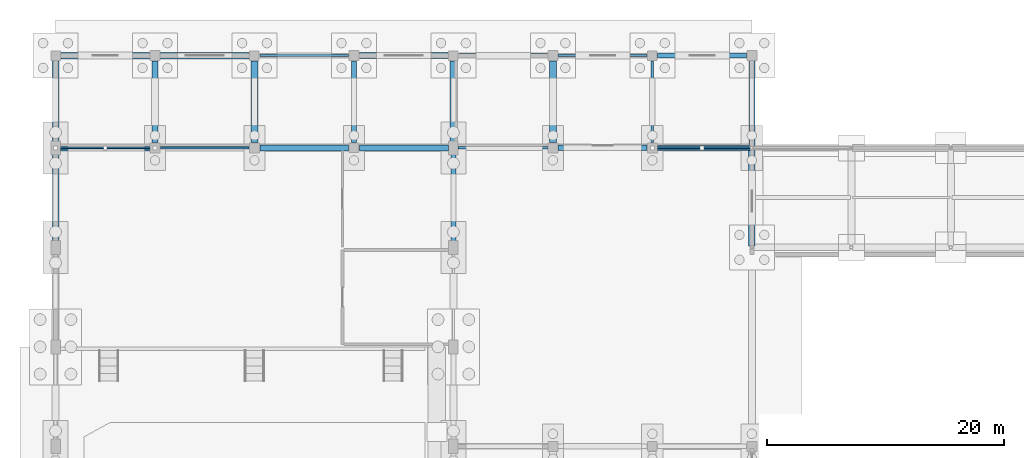
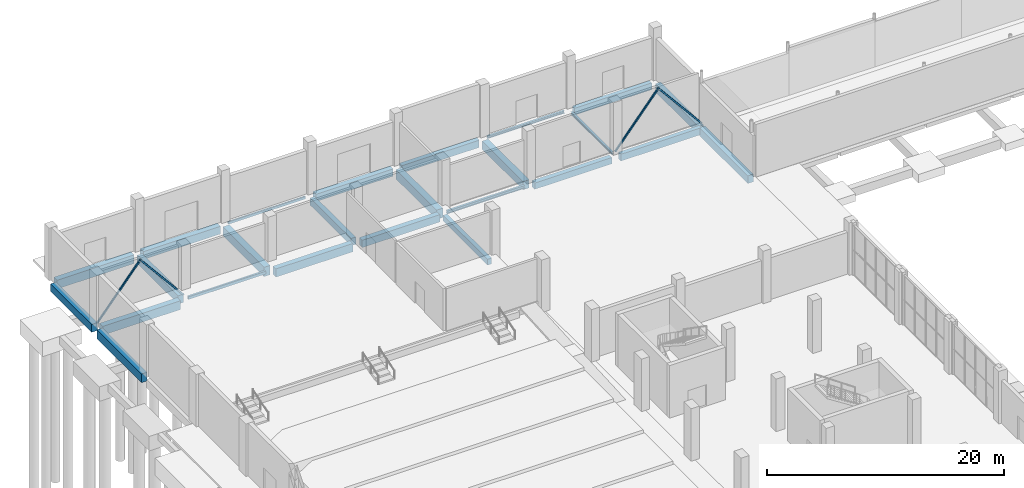
# One storey, part 42 of 82: 25 beams, 4 members.
"""IFC4 building model written with IfcOpenShell, lengths in metres."""

from ifc_helpers import new_model, si_unit, derived_unit, direction, frame, origin, origin_2d, place, context, subcontext, project, spatial, rectangle, hollow_rectangle, i_section, extrude, material, material_profile, profile_set, type_object, element, save


model = new_model("IFC4")

# Units and contexts
model_context = context("Model", 3, precision=1e-05, world=origin(), true_north=direction((0.0, 1.0)))
body_context = subcontext(model_context, "Body", "Model", "MODEL_VIEW")
ifc_project = project(units=[si_unit("LENGTHUNIT", "METRE"), si_unit("AREAUNIT", "SQUARE_METRE"), si_unit("VOLUMEUNIT", "CUBIC_METRE"), si_unit("PLANEANGLEUNIT", "RADIAN"), si_unit("MASSUNIT", "GRAM", prefix="KILO"), derived_unit("THERMALTRANSMITTANCEUNIT", [(si_unit("POWERUNIT", "WATT"), 1), (si_unit("LENGTHUNIT", "METRE"), -2), (si_unit("THERMODYNAMICTEMPERATUREUNIT", "KELVIN"), -1)])], contexts=[model_context])

# Site, building, storey
site_placement = place(None, origin())
site = spatial("IfcSite", under=ifc_project, at=site_placement, CompositionType="ELEMENT")
building_placement = place(site_placement, origin())
building = spatial("IfcBuilding", under=site, at=building_placement, Name="Barrovel Congress Hotel", CompositionType="ELEMENT")
storey_placement = place(building_placement, origin())
storey = spatial("IfcBuildingStorey", under=building, at=storey_placement, Name="L00", CompositionType="ELEMENT", Elevation=0.0)

# Beams
ifc_material_1 = material(Name="Concrete C40", Category="concrete")
ifc_material_profile_1 = material_profile(ifc_material_1, rectangle(XDim=0.39990234375, YDim=0.60009765625, at=origin_2d()), Name="RC400x600")
ifc_profile_set_1 = profile_set([ifc_material_profile_1], Name="Concrete C40")
beam_type_1 = type_object("IfcBeamType", Name="BM-RC400x600", PredefinedType="BEAM", material=ifc_profile_set_1)
beam_1_placement = place(storey_placement, frame((33.60009765625, 97.050048828125, -0.6201171875), z_axis=(0.0, 1.0, 0.0), x_axis=(-1.0, 0.0, 0.0)))
element("IfcBeam", 1, at=beam_1_placement, inside=storey, type_object=beam_type_1, Name="BMY:L00:33.6:96.6-105.0", PredefinedType="BEAM", context=body_context, shape_type="SweptSolid", body=[
    extrude(rectangle(XDim=0.39990234375, YDim=0.60009765625, at=origin_2d()), origin(), (0.0, 0.0, 1.0), 7.5),
])
ifc_material_profile_2 = material_profile(ifc_material_1, rectangle(XDim=0.39990234375, YDim=0.699951171875, at=origin_2d()), Name="RC400x700")
ifc_profile_set_2 = profile_set([ifc_material_profile_2], Name="Concrete C40")
beam_type_2 = type_object("IfcBeamType", Name="BM-RC400x700", PredefinedType="BEAM", material=ifc_profile_set_2)
beam_2_placement = place(storey_placement, frame((50.85009765625, 105.0, -0.669921875), z_axis=(1.0, 0.0, 0.0), x_axis=(0.0, 1.0, 0.0)))
element("IfcBeam", 2, at=beam_2_placement, inside=storey, type_object=beam_type_2, Name="BMX:L00:105.0:50.4-58.8", PredefinedType="BEAM", context=body_context, shape_type="SweptSolid", body=[
    extrude(rectangle(XDim=0.39990234375, YDim=0.699951171875, at=origin_2d()), origin(), (0.0, 0.0, 1.0), 7.84033203125),
])
beam_3_placement = place(storey_placement, frame((50.85009765625, 112.800048828125, -0.669921875), z_axis=(1.0, 0.0, 0.0), x_axis=(0.0, 1.0, 0.0)))
element("IfcBeam", 3, at=beam_3_placement, inside=storey, type_object=beam_type_2, Name="BMX:L00:112.8:50.4-58.8", PredefinedType="BEAM", context=body_context, shape_type="SweptSolid", body=[
    extrude(rectangle(XDim=0.39990234375, YDim=0.699951171875, at=origin_2d()), origin(), (0.0, 0.0, 1.0), 7.5),
])
ifc_material_profile_3 = material_profile(ifc_material_1, rectangle(XDim=0.449951171875, YDim=0.64990234375, at=origin_2d()), Name="RC450x650")
ifc_profile_set_3 = profile_set([ifc_material_profile_3], Name="Concrete C40")
beam_type_3 = type_object("IfcBeamType", Name="BM-RC450x650", PredefinedType="BEAM", material=ifc_profile_set_3)
beam_4_placement = place(storey_placement, frame((42.449951171875, 105.0, -0.64501953125), z_axis=(1.0, 0.0, 0.0), x_axis=(0.0, 1.0, 0.0)))
element("IfcBeam", 4, at=beam_4_placement, inside=storey, type_object=beam_type_3, Name="BMX:L00:105.0:42.0-50.4", PredefinedType="BEAM", context=body_context, shape_type="SweptSolid", body=[
    extrude(rectangle(XDim=0.449951171875, YDim=0.64990234375, at=origin_2d()), origin(), (0.0, 0.0, 1.0), 7.5),
])
ifc_material_profile_4 = material_profile(ifc_material_1, rectangle(XDim=0.449951171875, YDim=0.75, at=origin_2d()), Name="RC450x750")
ifc_profile_set_4 = profile_set([ifc_material_profile_4], Name="Concrete C40")
beam_type_4 = type_object("IfcBeamType", Name="BM-RC450x750", PredefinedType="BEAM", material=ifc_profile_set_4)
beam_5_placement = place(storey_placement, frame((34.050048828125, 112.800048828125, -0.695068359375), z_axis=(1.0, 0.0, 0.0), x_axis=(0.0, 1.0, 0.0)))
element("IfcBeam", 5, at=beam_5_placement, inside=storey, type_object=beam_type_4, Name="BMX:L00:112.8:33.6-42.0", PredefinedType="BEAM", context=body_context, shape_type="SweptSolid", body=[
    extrude(rectangle(XDim=0.449951171875, YDim=0.75, at=origin_2d()), origin(), (0.0, 0.0, 1.0), 7.5),
])
beam_6_placement = place(storey_placement, frame((25.199951171875, 105.449951171875, -0.695068359375), z_axis=(0.0, 1.0, 0.0), x_axis=(-1.0, 0.0, 0.0)))
element("IfcBeam", 6, at=beam_6_placement, inside=storey, type_object=beam_type_4, Name="BMY:L00:25.2:105.0-112.8", PredefinedType="BEAM", context=body_context, shape_type="SweptSolid", body=[
    extrude(rectangle(XDim=0.449951171875, YDim=0.75, at=origin_2d()), origin(), (0.0, 0.0, 1.0), 6.900146484375),
])
ifc_material_profile_5 = material_profile(ifc_material_1, rectangle(XDim=0.5, YDim=0.75, at=origin_2d()), Name="RC500x750")
ifc_profile_set_5 = profile_set([ifc_material_profile_5], Name="Concrete C40")
beam_type_5 = type_object("IfcBeamType", Name="BM-RC500x750", PredefinedType="BEAM", material=ifc_profile_set_5)
beam_7_placement = place(storey_placement, frame((25.64990234375, 105.0, -0.695068359375), z_axis=(1.0, 0.0, 0.0), x_axis=(0.0, 1.0, 0.0)))
element("IfcBeam", 7, at=beam_7_placement, inside=storey, type_object=beam_type_5, Name="BMX:L00:105.0:25.2-33.6", PredefinedType="BEAM", context=body_context, shape_type="SweptSolid", body=[
    extrude(rectangle(XDim=0.5, YDim=0.75, at=origin_2d()), origin(), (0.0, 0.0, 1.0), 7.550048828125),
])
beam_8_placement = place(storey_placement, frame((25.64990234375, 112.800048828125, -0.695068359375), z_axis=(1.0, 0.0, 0.0), x_axis=(0.0, 1.0, 0.0)))
element("IfcBeam", 8, at=beam_8_placement, inside=storey, type_object=beam_type_5, Name="BMX:L00:112.8:25.2-33.6", PredefinedType="BEAM", context=body_context, shape_type="SweptSolid", body=[
    extrude(rectangle(XDim=0.5, YDim=0.75, at=origin_2d()), origin(), (0.0, 0.0, 1.0), 7.5),
])
ifc_material_profile_6 = material_profile(ifc_material_1, rectangle(XDim=0.5, YDim=0.85009765625, at=origin_2d()), Name="RC500x850")
ifc_profile_set_6 = profile_set([ifc_material_profile_6], Name="Concrete C40")
beam_type_6 = type_object("IfcBeamType", Name="BM-RC500x850", PredefinedType="BEAM", material=ifc_profile_set_6)
beam_9_placement = place(storey_placement, frame((17.25, 105.0, -0.7451171875), z_axis=(1.0, 0.0, 0.0), x_axis=(0.0, 1.0, 0.0)))
element("IfcBeam", 9, at=beam_9_placement, inside=storey, type_object=beam_type_6, Name="BMX:L00:105.0:16.8-25.2", PredefinedType="BEAM", context=body_context, shape_type="SweptSolid", body=[
    extrude(rectangle(XDim=0.5, YDim=0.85009765625, at=origin_2d()), origin(), (0.0, 0.0, 1.0), 7.5),
])
beam_10_placement = place(storey_placement, frame((8.39990234375, 105.449951171875, -0.7451171875), z_axis=(0.0, 1.0, 0.0), x_axis=(-1.0, 0.0, 0.0)))
element("IfcBeam", 10, at=beam_10_placement, inside=storey, type_object=beam_type_6, Name="BMY:L00:8.4:105.0-112.8", PredefinedType="BEAM", context=body_context, shape_type="SweptSolid", body=[
    extrude(rectangle(XDim=0.5, YDim=0.85009765625, at=origin_2d()), origin(), (0.0, 0.0, 1.0), 6.900146484375),
])
beam_11_placement = place(storey_placement, frame((58.800048828125, 105.109619140625, -0.7451171875), z_axis=(0.0, 1.0, 0.0), x_axis=(-1.0, 0.0, 0.0)))
element("IfcBeam", 11, at=beam_11_placement, inside=storey, type_object=beam_type_6, Name="BMY:L00:58.8:105.0-112.8", PredefinedType="BEAM", context=body_context, shape_type="SweptSolid", body=[
    extrude(rectangle(XDim=0.5, YDim=0.85009765625, at=origin_2d()), origin(), (0.0, 0.0, 1.0), 7.240478515625),
])
ifc_material_profile_7 = material_profile(ifc_material_1, rectangle(XDim=0.550048828125, YDim=0.800048828125, at=origin_2d()), Name="RC550x800")
ifc_profile_set_7 = profile_set([ifc_material_profile_7], Name="Concrete C40")
beam_type_7 = type_object("IfcBeamType", Name="BM-RC550x800", PredefinedType="BEAM", material=ifc_profile_set_7)
beam_12_placement = place(storey_placement, frame((8.85009765625, 112.800048828125, -0.719970703125), z_axis=(1.0, 0.0, 0.0), x_axis=(0.0, 1.0, 0.0)))
element("IfcBeam", 12, at=beam_12_placement, inside=storey, type_object=beam_type_7, Name="BMX:L00:112.8:8.4-16.8", PredefinedType="BEAM", context=body_context, shape_type="SweptSolid", body=[
    extrude(rectangle(XDim=0.550048828125, YDim=0.800048828125, at=origin_2d()), origin(), (0.0, 0.0, 1.0), 7.5),
])
beam_13_placement = place(storey_placement, frame((0.0, 105.449951171875, -0.719970703125), z_axis=(0.0, 1.0, 0.0), x_axis=(-1.0, 0.0, 0.0)))
element("IfcBeam", 13, at=beam_13_placement, inside=storey, type_object=beam_type_7, Name="BMY:L00:0.0:105.0-112.8", PredefinedType="BEAM", context=body_context, shape_type="SweptSolid", body=[
    extrude(rectangle(XDim=0.550048828125, YDim=0.800048828125, at=origin_2d()), origin(), (0.0, 0.0, 1.0), 6.900146484375),
])
beam_14_placement = place(storey_placement, frame((58.800048828125, 96.70947265625, -0.719970703125), z_axis=(0.0, 1.0, 0.0), x_axis=(-1.0, 0.0, 0.0)))
element("IfcBeam", 14, at=beam_14_placement, inside=storey, type_object=beam_type_7, Name="BMY:L00:58.8:96.6-105.0", PredefinedType="BEAM", context=body_context, shape_type="SweptSolid", body=[
    extrude(rectangle(XDim=0.550048828125, YDim=0.800048828125, at=origin_2d()), origin(), (0.0, 0.0, 1.0), 8.180908203125),
])
ifc_material_profile_8 = material_profile(ifc_material_1, rectangle(XDim=0.550048828125, YDim=0.89990234375, at=origin_2d()), Name="RC550x900")
ifc_profile_set_8 = profile_set([ifc_material_profile_8], Name="Concrete C40")
beam_type_8 = type_object("IfcBeamType", Name="BM-RC550x900", PredefinedType="BEAM", material=ifc_profile_set_8)
beam_15_placement = place(storey_placement, frame((0.39990234375, 105.0, -0.77001953125), z_axis=(1.0, 0.0, 0.0), x_axis=(0.0, 1.0, 0.0)))
element("IfcBeam", 15, at=beam_15_placement, inside=storey, type_object=beam_type_8, Name="BMX:L00:105.0:0.0-8.4", PredefinedType="BEAM", context=body_context, shape_type="SweptSolid", body=[
    extrude(rectangle(XDim=0.550048828125, YDim=0.89990234375, at=origin_2d()), origin(), (0.0, 0.0, 1.0), 7.550048828125),
])
for number, where, z_axis, x_axis, name in (
    (16, (0.449951171875, 112.800048828125, -0.77001953125), (1.0, 0.0, 0.0), (0.0, 1.0, 0.0), "BMX:L00:112.8:0.0-8.4"),
    (17, (0.0, 97.050048828125, -0.77001953125), (0.0, 1.0, 0.0), (-1.0, 0.0, 0.0), "BMY:L00:0.0:96.6-105.0"),
):
    element("IfcBeam", number, at=place(storey_placement, frame(where, z_axis=z_axis, x_axis=x_axis)), inside=storey, type_object=beam_type_8, Name=name, PredefinedType="BEAM", context=body_context, shape_type="SweptSolid", body=[
        extrude(rectangle(XDim=0.550048828125, YDim=0.89990234375, at=origin_2d()), origin(), (0.0, 0.0, 1.0), 7.5),
    ])
ifc_material_profile_9 = material_profile(ifc_material_1, rectangle(XDim=0.60009765625, YDim=0.85009765625, at=origin_2d()), Name="RC600x850")
ifc_profile_set_9 = profile_set([ifc_material_profile_9], Name="Concrete C40")
beam_type_9 = type_object("IfcBeamType", Name="BM-RC600x850", PredefinedType="BEAM", material=ifc_profile_set_9)
beam_16_placement = place(storey_placement, frame((42.0, 105.449951171875, -0.7451171875), z_axis=(0.0, 1.0, 0.0), x_axis=(-1.0, 0.0, 0.0)))
element("IfcBeam", 18, at=beam_16_placement, inside=storey, type_object=beam_type_9, Name="BMY:L00:42.0:105.0-112.8", PredefinedType="BEAM", context=body_context, shape_type="SweptSolid", body=[
    extrude(rectangle(XDim=0.60009765625, YDim=0.85009765625, at=origin_2d()), origin(), (0.0, 0.0, 1.0), 6.900146484375),
])
ifc_material_profile_10 = material_profile(ifc_material_1, rectangle(XDim=0.60009765625, YDim=0.949951171875, at=origin_2d()), Name="RC600x950")
ifc_profile_set_10 = profile_set([ifc_material_profile_10], Name="Concrete C40")
beam_type_10 = type_object("IfcBeamType", Name="BM-RC600x950", PredefinedType="BEAM", material=ifc_profile_set_10)
for number, where, z_axis, x_axis, name in (
    (19, (16.800048828125, 105.449951171875, -0.794921875), (0.0, 1.0, 0.0), (-1.0, 0.0, 0.0), "BMY:L00:16.8:105.0-112.8"),
    (20, (33.60009765625, 105.449951171875, -0.794921875), (0.0, 1.0, 0.0), (-1.0, 0.0, 0.0), "BMY:L00:33.6:105.0-112.8"),
):
    element("IfcBeam", number, at=place(storey_placement, frame(where, z_axis=z_axis, x_axis=x_axis)), inside=storey, type_object=beam_type_10, Name=name, PredefinedType="BEAM", context=body_context, shape_type="SweptSolid", body=[
        extrude(rectangle(XDim=0.60009765625, YDim=0.949951171875, at=origin_2d()), origin(), (0.0, 0.0, 1.0), 6.900146484375),
    ])

# Members
ifc_material_2 = material(Name="Steel ASTM A500 Grade C", Category="steel")
ifc_material_profile_11 = material_profile(ifc_material_2, hollow_rectangle(XDim=0.15234375, YDim=0.15234375, WallThickness=0.00732421875, InnerFilletRadius=0.00732421875, OuterFilletRadius=0.014892578125, at=origin_2d()), Name="HSS152x152x7.9")
ifc_profile_set_11 = profile_set([ifc_material_profile_11], Name="Steel ASTM A500 Grade C")
member_type = type_object("IfcMemberType", Name="MEM-HSS152x152x7.9", PredefinedType="BRACE", material=ifc_profile_set_11)
for number, where, z_axis, x_axis, name in (
    (21, (0.0, 105.0, 0.0), (0.639427293174, 0.0, 0.768851570034), (0.0, 1.0, 0.0), "CBF:L00:BF1:L"),
    (22, (8.39990234375, 105.0, 0.0), (-0.639427293174, 0.0, 0.768851570034), (0.0, -1.0, 0.0), "CBF:L00:BF1:R"),
    (23, (50.39990234375, 105.0, 0.0), (0.639449264512, 0.0, 0.7688332967), (0.0, 1.0, 0.0), "CBF:L00:BF2:L"),
    (24, (58.800048828125, 105.0, 0.0), (-0.639427293174, 0.0, 0.768851570034), (0.0, -1.0, 0.0), "CBF:L00:BF2:R"),
):
    element("IfcMember", number, at=place(storey_placement, frame(where, z_axis=z_axis, x_axis=x_axis)), inside=storey, type_object=member_type, Name=name, PredefinedType="BRACE", context=body_context, shape_type="SweptSolid", body=[
        extrude(hollow_rectangle(XDim=0.15234375, YDim=0.15234375, WallThickness=0.00732421875, InnerFilletRadius=0.00732421875, OuterFilletRadius=0.014892578125, at=origin_2d()), origin(), (0.0, 0.0, 1.0), 6.568359375),
    ])

# Beams
ifc_material_profile_12 = material_profile(ifc_material_2, hollow_rectangle(XDim=0.15234375, YDim=0.25390625, WallThickness=0.0087890625, InnerFilletRadius=0.0087890625, OuterFilletRadius=0.017578125, at=origin_2d()), Name="HSS254x152x9.5")
ifc_profile_set_12 = profile_set([ifc_material_profile_12], Name="Steel ASTM A500 Grade C")
beam_type_11 = type_object("IfcBeamType", Name="SBM-HSS254x152x9.5", PredefinedType="SPANDREL", material=ifc_profile_set_12)
beam_17_placement = place(storey_placement, frame((17.25, 112.800048828125, -0.447021484375), z_axis=(1.0, 0.0, 0.0), x_axis=(0.0, 1.0, 0.0)))
element("IfcBeam", 25, at=beam_17_placement, inside=storey, type_object=beam_type_11, Name="BMX:L00:112.8:16.8-25.2", PredefinedType="SPANDREL", context=body_context, shape_type="SweptSolid", body=[
    extrude(hollow_rectangle(XDim=0.15234375, YDim=0.25390625, WallThickness=0.0087890625, InnerFilletRadius=0.0087890625, OuterFilletRadius=0.017578125, at=origin_2d()), origin(), (0.0, 0.0, 1.0), 7.5),
])
ifc_material_profile_13 = material_profile(ifc_material_2, hollow_rectangle(XDim=0.203125, YDim=0.3046875, WallThickness=0.01171875, InnerFilletRadius=0.01171875, OuterFilletRadius=0.023681640625, at=origin_2d()), Name="HSS305x203x12.7")
ifc_profile_set_13 = profile_set([ifc_material_profile_13], Name="Steel ASTM A500 Grade C")
beam_type_12 = type_object("IfcBeamType", Name="SBM-HSS305x203x12.7", PredefinedType="SPANDREL", material=ifc_profile_set_13)
beam_18_placement = place(storey_placement, frame((8.85009765625, 105.0, -0.472412109375), z_axis=(1.0, 0.0, 0.0), x_axis=(0.0, 1.0, 0.0)))
element("IfcBeam", 26, at=beam_18_placement, inside=storey, type_object=beam_type_12, Name="BMX:L00:105.0:8.4-16.8", PredefinedType="SPANDREL", context=body_context, shape_type="SweptSolid", body=[
    extrude(hollow_rectangle(XDim=0.203125, YDim=0.3046875, WallThickness=0.01171875, InnerFilletRadius=0.01171875, OuterFilletRadius=0.023681640625, at=origin_2d()), origin(), (0.0, 0.0, 1.0), 7.5),
])
ifc_material_3 = material(Name="Steel ASTM A992 Grade 50", Category="steel")
ifc_material_profile_14 = material_profile(ifc_material_3, i_section(OverallWidth=0.201904296875, OverallDepth=0.2470703125, WebThickness=0.00732421875, FlangeThickness=0.010986328125, FilletRadius=0.011962890625, at=origin_2d()), Name="W250x49")
ifc_profile_set_14 = profile_set([ifc_material_profile_14], Name="Steel ASTM A992 Grade 50")
beam_type_13 = type_object("IfcBeamType", Name="SBM-W250x49", PredefinedType="SPANDREL", material=ifc_profile_set_14)
beam_19_placement = place(storey_placement, frame((42.449951171875, 112.800048828125, -0.443603515625), z_axis=(1.0, 0.0, 0.0), x_axis=(0.0, 1.0, 0.0)))
element("IfcBeam", 27, at=beam_19_placement, inside=storey, type_object=beam_type_13, Name="BMX:L00:112.8:42.0-50.4", PredefinedType="SPANDREL", context=body_context, shape_type="SweptSolid", body=[
    extrude(i_section(OverallWidth=0.201904296875, OverallDepth=0.2470703125, WebThickness=0.00732421875, FlangeThickness=0.010986328125, FilletRadius=0.011962890625, at=origin_2d()), origin(), (0.0, 0.0, 1.0), 7.5),
])
beam_20_placement = place(storey_placement, frame((50.39990234375, 105.449951171875, -0.443603515625), z_axis=(0.0, 1.0, 0.0), x_axis=(-1.0, 0.0, 0.0)))
element("IfcBeam", 28, at=beam_20_placement, inside=storey, type_object=beam_type_13, Name="BMY:L00:50.4:105.0-112.8", PredefinedType="SPANDREL", context=body_context, shape_type="SweptSolid", body=[
    extrude(i_section(OverallWidth=0.201904296875, OverallDepth=0.2470703125, WebThickness=0.00732421875, FlangeThickness=0.010986328125, FilletRadius=0.011962890625, at=origin_2d()), origin(), (0.0, 0.0, 1.0), 6.900146484375),
])
ifc_material_profile_15 = material_profile(ifc_material_3, i_section(OverallWidth=0.205078125, OverallDepth=0.31005859375, WebThickness=0.009521484375, FlangeThickness=0.016357421875, FilletRadius=0.012939453125, at=origin_2d()), Name="W310x74")
ifc_profile_set_15 = profile_set([ifc_material_profile_15], Name="Steel ASTM A992 Grade 50")
beam_type_14 = type_object("IfcBeamType", Name="SBM-W310x74", PredefinedType="SPANDREL", material=ifc_profile_set_15)
beam_21_placement = place(storey_placement, frame((34.0, 105.0, -0.47509765625), z_axis=(1.0, 0.0, 0.0), x_axis=(0.0, 1.0, 0.0)))
element("IfcBeam", 29, at=beam_21_placement, inside=storey, type_object=beam_type_14, Name="BMX:L00:105.0:33.6-42.0", PredefinedType="SPANDREL", context=body_context, shape_type="SweptSolid", body=[
    extrude(i_section(OverallWidth=0.205078125, OverallDepth=0.31005859375, WebThickness=0.009521484375, FlangeThickness=0.016357421875, FilletRadius=0.012939453125, at=origin_2d()), origin(), (0.0, 0.0, 1.0), 7.550048828125),
])

save(model, "model.ifc")
